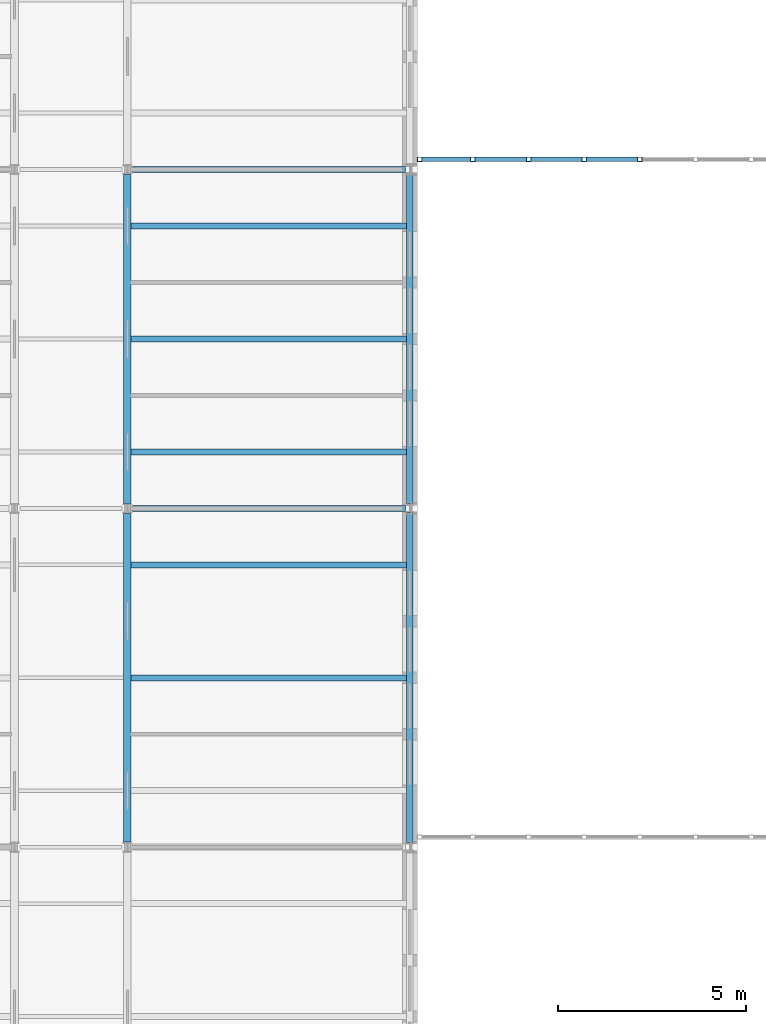
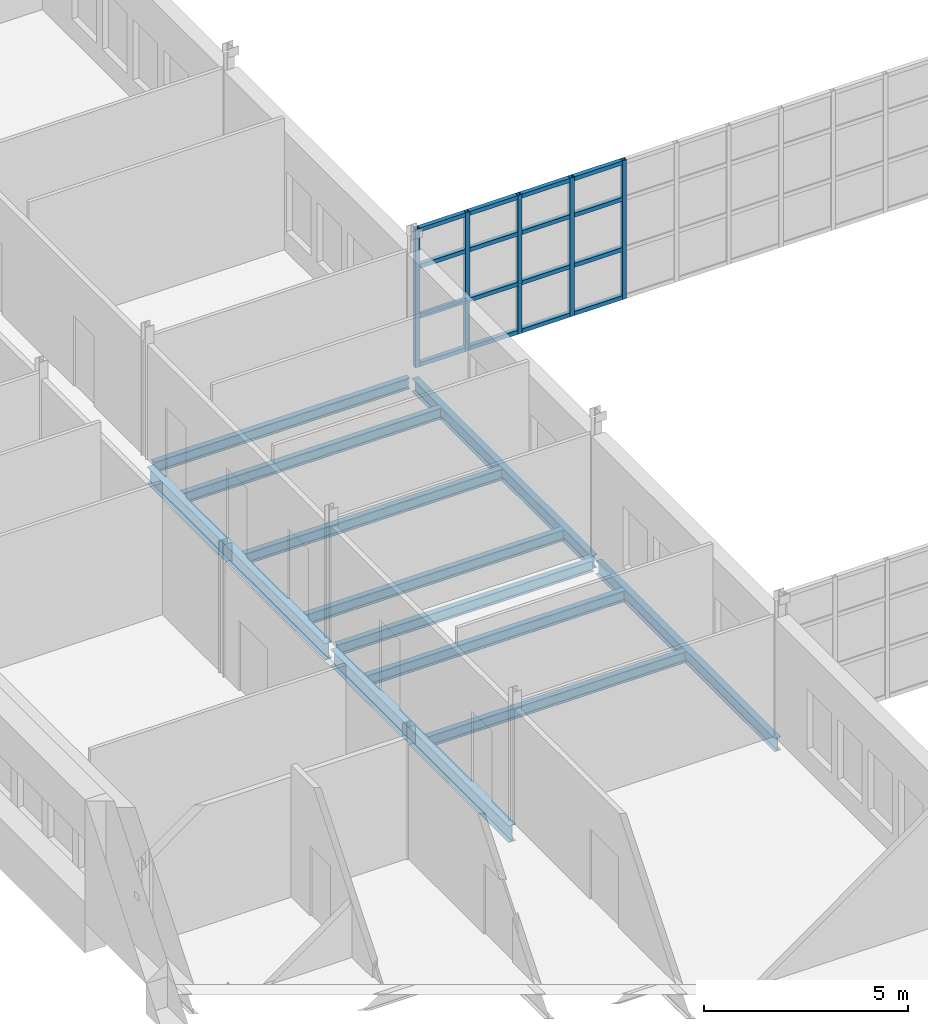
# One storey, part 30 of 154: 21 members, 11 beams, 1 element without a shape of its own.
"""IFC4 building model written with IfcOpenShell, lengths in metres."""

from ifc_helpers import new_model, si_unit, direction, frame, origin, origin_2d, place, context, subcontext, project, spatial, hollow_rectangle, i_section, extrude, material, material_profile, profile_set, type_object, element, aggregate, save


model = new_model("IFC4")

# Units and contexts
model_context = context("Model", 3, precision=1e-05, world=origin(), true_north=direction((0.0, 1.0)))
body_context = subcontext(model_context, "Body", "Model", "MODEL_VIEW")
ifc_project = project(units=[si_unit("LENGTHUNIT", "METRE"), si_unit("AREAUNIT", "SQUARE_METRE"), si_unit("VOLUMEUNIT", "CUBIC_METRE"), si_unit("PLANEANGLEUNIT", "RADIAN"), si_unit("MASSUNIT", "GRAM", prefix="KILO")], contexts=[model_context])

# Site, building, storey
site_placement = place(None, origin())
site = spatial("IfcSite", under=ifc_project, at=site_placement, CompositionType="ELEMENT")
building_placement = place(site_placement, origin())
building = spatial("IfcBuilding", under=site, at=building_placement, Name="Golden Quay Civic Hall", CompositionType="ELEMENT")
storey_placement = place(building_placement, frame((0.0, 0.0, 14.39990234375)))
storey = spatial("IfcBuildingStorey", under=building, at=storey_placement, Name="L03", CompositionType="ELEMENT", Elevation=14.39990234375)

# Curtain wall, members
ifc_material_1 = material(Name="Fire-resisting glass and steel", Category="steel")
curtain_wall_type = type_object("IfcCurtainWallType", Name="Fire-resisting glazed curtain wall EI 120", PredefinedType="NOTDEFINED", material=ifc_material_1)
curtain_wall_placement = place(storey_placement, origin())
curtain_wall = element("IfcCurtainWall", 1, at=curtain_wall_placement, inside=storey, type_object=curtain_wall_type, Name="CW3 curtain wall", PredefinedType="NOTDEFINED")
ifc_material_2 = material(Name="Steel S355", Category="steel")
ifc_material_profile_1 = material_profile(ifc_material_2, hollow_rectangle(XDim=0.1201171875, YDim=0.1201171875, WallThickness=0.008056640625, at=origin_2d()), Name="SHS 120x120x8")
ifc_profile_set_1 = profile_set([ifc_material_profile_1], Name="Steel S355")
member_type_1 = type_object("IfcMemberType", Name="Fire-resisting steel mullion SHS 120x120x8", PredefinedType="MULLION", material=ifc_profile_set_1)
member_1_placement = place(storey_placement, frame((72.260009765625, 36.27001953125, -0.199951171875), z_axis=(0.0, 0.0, 1.0), x_axis=(0.0, 1.0, 0.0)))
member_1 = element("IfcMember", 2, at=member_1_placement, type_object=member_type_1, Name="CW3 mullion 1", PredefinedType="MULLION", context=body_context, shape_type="SweptSolid", body=[
    extrude(hollow_rectangle(XDim=0.1201171875, YDim=0.1201171875, WallThickness=0.008056640625, at=origin_2d()), origin(), (0.0, 0.0, 1.0), 4.150146484375),
])
member_2_placement = place(storey_placement, frame((73.677734375, 36.27001953125, -0.199951171875), z_axis=(0.0, 0.0, 1.0), x_axis=(0.0, 1.0, 0.0)))
member_2 = element("IfcMember", 3, at=member_2_placement, type_object=member_type_1, Name="CW3 mullion 2", PredefinedType="MULLION", context=body_context, shape_type="SweptSolid", body=[
    extrude(hollow_rectangle(XDim=0.1201171875, YDim=0.1201171875, WallThickness=0.008056640625, at=origin_2d()), origin(), (0.0, 0.0, 1.0), 4.150146484375),
])
member_3_placement = place(storey_placement, frame((75.155517578125, 36.27001953125, -0.199951171875), z_axis=(0.0, 0.0, 1.0), x_axis=(0.0, 1.0, 0.0)))
member_3 = element("IfcMember", 4, at=member_3_placement, type_object=member_type_1, Name="CW3 mullion 3", PredefinedType="MULLION", context=body_context, shape_type="SweptSolid", body=[
    extrude(hollow_rectangle(XDim=0.1201171875, YDim=0.1201171875, WallThickness=0.008056640625, at=origin_2d()), origin(), (0.0, 0.0, 1.0), 4.150146484375),
])
member_4_placement = place(storey_placement, frame((76.63330078125, 36.27001953125, -0.199951171875), z_axis=(0.0, 0.0, 1.0), x_axis=(0.0, 1.0, 0.0)))
member_4 = element("IfcMember", 5, at=member_4_placement, type_object=member_type_1, Name="CW3 mullion 4", PredefinedType="MULLION", context=body_context, shape_type="SweptSolid", body=[
    extrude(hollow_rectangle(XDim=0.1201171875, YDim=0.1201171875, WallThickness=0.008056640625, at=origin_2d()), origin(), (0.0, 0.0, 1.0), 4.150146484375),
])
member_5_placement = place(storey_placement, frame((78.111083984375, 36.27001953125, -0.199951171875), z_axis=(0.0, 0.0, 1.0), x_axis=(0.0, 1.0, 0.0)))
member_5 = element("IfcMember", 6, at=member_5_placement, type_object=member_type_1, Name="CW3 mullion 5", PredefinedType="MULLION", context=body_context, shape_type="SweptSolid", body=[
    extrude(hollow_rectangle(XDim=0.1201171875, YDim=0.1201171875, WallThickness=0.008056640625, at=origin_2d()), origin(), (0.0, 0.0, 1.0), 4.150146484375),
])
ifc_material_3 = material(Name="Steel S355", Category="steel")
ifc_material_profile_2 = material_profile(ifc_material_3, hollow_rectangle(XDim=0.1201171875, YDim=0.1201171875, WallThickness=0.008056640625, at=origin_2d()), Name="SHS 120x120x8")
ifc_profile_set_2 = profile_set([ifc_material_profile_2], Name="Steel S355")
member_type_2 = type_object("IfcMemberType", Name="Fire-resisting steel transom SHS 120x120x8", PredefinedType="USERDEFINED", material=ifc_profile_set_2)
member_6_placement = place(storey_placement, frame((72.320068359375, 36.27001953125, -0.139892578125), z_axis=(1.0, 0.0, 0.0), x_axis=(0.0, 1.0, 0.0)))
member_6 = element("IfcMember", 7, at=member_6_placement, type_object=member_type_2, Name="CW3 transom 1.1", ObjectType="TRANSOM", PredefinedType="USERDEFINED", context=body_context, shape_type="SweptSolid", body=[
    extrude(hollow_rectangle(XDim=0.1201171875, YDim=0.1201171875, WallThickness=0.008056640625, at=origin_2d()), origin(), (0.0, 0.0, 1.0), 1.297607421875),
])
member_7_placement = place(storey_placement, frame((72.320068359375, 36.27001953125, 1.300048828125), z_axis=(1.0, 0.0, 0.0), x_axis=(0.0, 1.0, 0.0)))
member_7 = element("IfcMember", 8, at=member_7_placement, type_object=member_type_2, Name="CW3 transom 1.2", ObjectType="TRANSOM", PredefinedType="USERDEFINED", context=body_context, shape_type="SweptSolid", body=[
    extrude(hollow_rectangle(XDim=0.1201171875, YDim=0.1201171875, WallThickness=0.008056640625, at=origin_2d()), origin(), (0.0, 0.0, 1.0), 1.297607421875),
])
member_8_placement = place(storey_placement, frame((72.320068359375, 36.27001953125, 2.800048828125), z_axis=(1.0, 0.0, 0.0), x_axis=(0.0, 1.0, 0.0)))
member_8 = element("IfcMember", 9, at=member_8_placement, type_object=member_type_2, Name="CW3 transom 1.3", ObjectType="TRANSOM", PredefinedType="USERDEFINED", context=body_context, shape_type="SweptSolid", body=[
    extrude(hollow_rectangle(XDim=0.1201171875, YDim=0.1201171875, WallThickness=0.008056640625, at=origin_2d()), origin(), (0.0, 0.0, 1.0), 1.297607421875),
])
member_9_placement = place(storey_placement, frame((72.320068359375, 36.27001953125, 3.89013671875), z_axis=(1.0, 0.0, 0.0), x_axis=(0.0, 1.0, 0.0)))
member_9 = element("IfcMember", 10, at=member_9_placement, type_object=member_type_2, Name="CW3 transom 1.4", ObjectType="TRANSOM", PredefinedType="USERDEFINED", context=body_context, shape_type="SweptSolid", body=[
    extrude(hollow_rectangle(XDim=0.1201171875, YDim=0.1201171875, WallThickness=0.008056640625, at=origin_2d()), origin(), (0.0, 0.0, 1.0), 1.297607421875),
])
member_10_placement = place(storey_placement, frame((73.73779296875, 36.27001953125, -0.139892578125), z_axis=(1.0, 0.0, 0.0), x_axis=(0.0, 1.0, 0.0)))
member_10 = element("IfcMember", 11, at=member_10_placement, type_object=member_type_2, Name="CW3 transom 2.1", ObjectType="TRANSOM", PredefinedType="USERDEFINED", context=body_context, shape_type="SweptSolid", body=[
    extrude(hollow_rectangle(XDim=0.1201171875, YDim=0.1201171875, WallThickness=0.008056640625, at=origin_2d()), origin(), (0.0, 0.0, 1.0), 1.357666015625),
])
member_11_placement = place(storey_placement, frame((73.73779296875, 36.27001953125, 1.300048828125), z_axis=(1.0, 0.0, 0.0), x_axis=(0.0, 1.0, 0.0)))
member_11 = element("IfcMember", 12, at=member_11_placement, type_object=member_type_2, Name="CW3 transom 2.2", ObjectType="TRANSOM", PredefinedType="USERDEFINED", context=body_context, shape_type="SweptSolid", body=[
    extrude(hollow_rectangle(XDim=0.1201171875, YDim=0.1201171875, WallThickness=0.008056640625, at=origin_2d()), origin(), (0.0, 0.0, 1.0), 1.357666015625),
])
member_12_placement = place(storey_placement, frame((73.73779296875, 36.27001953125, 2.800048828125), z_axis=(1.0, 0.0, 0.0), x_axis=(0.0, 1.0, 0.0)))
member_12 = element("IfcMember", 13, at=member_12_placement, type_object=member_type_2, Name="CW3 transom 2.3", ObjectType="TRANSOM", PredefinedType="USERDEFINED", context=body_context, shape_type="SweptSolid", body=[
    extrude(hollow_rectangle(XDim=0.1201171875, YDim=0.1201171875, WallThickness=0.008056640625, at=origin_2d()), origin(), (0.0, 0.0, 1.0), 1.357666015625),
])
member_13_placement = place(storey_placement, frame((73.73779296875, 36.27001953125, 3.89013671875), z_axis=(1.0, 0.0, 0.0), x_axis=(0.0, 1.0, 0.0)))
member_13 = element("IfcMember", 14, at=member_13_placement, type_object=member_type_2, Name="CW3 transom 2.4", ObjectType="TRANSOM", PredefinedType="USERDEFINED", context=body_context, shape_type="SweptSolid", body=[
    extrude(hollow_rectangle(XDim=0.1201171875, YDim=0.1201171875, WallThickness=0.008056640625, at=origin_2d()), origin(), (0.0, 0.0, 1.0), 1.357666015625),
])
member_14_placement = place(storey_placement, frame((75.215576171875, 36.27001953125, -0.139892578125), z_axis=(1.0, 0.0, 0.0), x_axis=(0.0, 1.0, 0.0)))
member_14 = element("IfcMember", 15, at=member_14_placement, type_object=member_type_2, Name="CW3 transom 3.1", ObjectType="TRANSOM", PredefinedType="USERDEFINED", context=body_context, shape_type="SweptSolid", body=[
    extrude(hollow_rectangle(XDim=0.1201171875, YDim=0.1201171875, WallThickness=0.008056640625, at=origin_2d()), origin(), (0.0, 0.0, 1.0), 1.357666015625),
])
member_15_placement = place(storey_placement, frame((75.215576171875, 36.27001953125, 1.300048828125), z_axis=(1.0, 0.0, 0.0), x_axis=(0.0, 1.0, 0.0)))
member_15 = element("IfcMember", 16, at=member_15_placement, type_object=member_type_2, Name="CW3 transom 3.2", ObjectType="TRANSOM", PredefinedType="USERDEFINED", context=body_context, shape_type="SweptSolid", body=[
    extrude(hollow_rectangle(XDim=0.1201171875, YDim=0.1201171875, WallThickness=0.008056640625, at=origin_2d()), origin(), (0.0, 0.0, 1.0), 1.357666015625),
])
member_16_placement = place(storey_placement, frame((75.215576171875, 36.27001953125, 2.800048828125), z_axis=(1.0, 0.0, 0.0), x_axis=(0.0, 1.0, 0.0)))
member_16 = element("IfcMember", 17, at=member_16_placement, type_object=member_type_2, Name="CW3 transom 3.3", ObjectType="TRANSOM", PredefinedType="USERDEFINED", context=body_context, shape_type="SweptSolid", body=[
    extrude(hollow_rectangle(XDim=0.1201171875, YDim=0.1201171875, WallThickness=0.008056640625, at=origin_2d()), origin(), (0.0, 0.0, 1.0), 1.357666015625),
])
member_17_placement = place(storey_placement, frame((75.215576171875, 36.27001953125, 3.89013671875), z_axis=(1.0, 0.0, 0.0), x_axis=(0.0, 1.0, 0.0)))
member_17 = element("IfcMember", 18, at=member_17_placement, type_object=member_type_2, Name="CW3 transom 3.4", ObjectType="TRANSOM", PredefinedType="USERDEFINED", context=body_context, shape_type="SweptSolid", body=[
    extrude(hollow_rectangle(XDim=0.1201171875, YDim=0.1201171875, WallThickness=0.008056640625, at=origin_2d()), origin(), (0.0, 0.0, 1.0), 1.357666015625),
])
member_18_placement = place(storey_placement, frame((76.693359375, 36.27001953125, -0.139892578125), z_axis=(1.0, 0.0, 0.0), x_axis=(0.0, 1.0, 0.0)))
member_18 = element("IfcMember", 19, at=member_18_placement, type_object=member_type_2, Name="CW3 transom 4.1", ObjectType="TRANSOM", PredefinedType="USERDEFINED", context=body_context, shape_type="SweptSolid", body=[
    extrude(hollow_rectangle(XDim=0.1201171875, YDim=0.1201171875, WallThickness=0.008056640625, at=origin_2d()), origin(), (0.0, 0.0, 1.0), 1.357666015625),
])
member_19_placement = place(storey_placement, frame((76.693359375, 36.27001953125, 1.300048828125), z_axis=(1.0, 0.0, 0.0), x_axis=(0.0, 1.0, 0.0)))
member_19 = element("IfcMember", 20, at=member_19_placement, type_object=member_type_2, Name="CW3 transom 4.2", ObjectType="TRANSOM", PredefinedType="USERDEFINED", context=body_context, shape_type="SweptSolid", body=[
    extrude(hollow_rectangle(XDim=0.1201171875, YDim=0.1201171875, WallThickness=0.008056640625, at=origin_2d()), origin(), (0.0, 0.0, 1.0), 1.357666015625),
])
member_20_placement = place(storey_placement, frame((76.693359375, 36.27001953125, 2.800048828125), z_axis=(1.0, 0.0, 0.0), x_axis=(0.0, 1.0, 0.0)))
member_20 = element("IfcMember", 21, at=member_20_placement, type_object=member_type_2, Name="CW3 transom 4.3", ObjectType="TRANSOM", PredefinedType="USERDEFINED", context=body_context, shape_type="SweptSolid", body=[
    extrude(hollow_rectangle(XDim=0.1201171875, YDim=0.1201171875, WallThickness=0.008056640625, at=origin_2d()), origin(), (0.0, 0.0, 1.0), 1.357666015625),
])
member_21_placement = place(storey_placement, frame((76.693359375, 36.27001953125, 3.89013671875), z_axis=(1.0, 0.0, 0.0), x_axis=(0.0, 1.0, 0.0)))
member_21 = element("IfcMember", 22, at=member_21_placement, type_object=member_type_2, Name="CW3 transom 4.4", ObjectType="TRANSOM", PredefinedType="USERDEFINED", context=body_context, shape_type="SweptSolid", body=[
    extrude(hollow_rectangle(XDim=0.1201171875, YDim=0.1201171875, WallThickness=0.008056640625, at=origin_2d()), origin(), (0.0, 0.0, 1.0), 1.357666015625),
])
aggregate(curtain_wall, [member_1, member_2, member_3, member_4, member_5, member_6, member_7, member_8, member_9, member_10, member_11, member_12, member_13, member_14, member_15, member_16, member_17, member_18, member_19, member_20, member_21])

# Beams
ifc_material_4 = material(Name="Steel S355", Category="steel")
ifc_material_profile_3 = material_profile(ifc_material_4, i_section(OverallWidth=0.159912109375, OverallDepth=0.330078125, WebThickness=0.007568359375, FlangeThickness=0.011474609375, FilletRadius=0.01806640625, at=origin_2d()), Name="IPE 330")
ifc_profile_set_3 = profile_set([ifc_material_profile_3], Name="Steel S355")
beam_type_1 = type_object("IfcBeamType", Name="Steel beam IPE 330", PredefinedType="BEAM", material=ifc_profile_set_3)
for number, where, z_axis, x_axis, name in (
    (23, (64.639892578125, 27.0, -0.364990234375), (1.0, 0.0, 0.0), (0.0, 1.0, 0.0), "Beam S27-64.5"),
    (24, (64.639892578125, 36.0, -0.364990234375), (1.0, 0.0, 0.0), (0.0, 1.0, 0.0), "Beam S36-64.5"),
):
    element("IfcBeam", number, at=place(storey_placement, frame(where, z_axis=z_axis, x_axis=x_axis)), inside=storey, type_object=beam_type_1, Name=name, PredefinedType="BEAM", context=body_context, shape_type="SweptSolid", body=[
        extrude(i_section(OverallWidth=0.159912109375, OverallDepth=0.330078125, WebThickness=0.007568359375, FlangeThickness=0.011474609375, FilletRadius=0.01806640625, at=origin_2d()), origin(), (0.0, 0.0, 1.0), 7.239990234375),
    ])
ifc_material_5 = material(Name="Steel S355", Category="steel")
ifc_material_profile_4 = material_profile(ifc_material_5, i_section(OverallWidth=0.179931640625, OverallDepth=0.39990234375, WebThickness=0.008544921875, FlangeThickness=0.013427734375, FilletRadius=0.02099609375, at=origin_2d()), Name="IPE 400")
ifc_profile_set_4 = profile_set([ifc_material_profile_4], Name="Steel S355")
beam_type_2 = type_object("IfcBeamType", Name="Steel beam IPE 400", PredefinedType="BEAM", material=ifc_profile_set_4)
for number, where, z_axis, x_axis, name in (
    (25, (72.0, 18.114990234375, -0.39990234375), (0.0, 1.0, 0.0), (-1.0, 0.0, 0.0), "Beam L72-18"),
    (26, (72.0, 27.114990234375, -0.39990234375), (0.0, 1.0, 0.0), (-1.0, 0.0, 0.0), "Beam L72-27"),
):
    element("IfcBeam", number, at=place(storey_placement, frame(where, z_axis=z_axis, x_axis=x_axis)), inside=storey, type_object=beam_type_2, Name=name, PredefinedType="BEAM", context=body_context, shape_type="SweptSolid", body=[
        extrude(i_section(OverallWidth=0.179931640625, OverallDepth=0.39990234375, WebThickness=0.008544921875, FlangeThickness=0.013427734375, FilletRadius=0.02099609375, at=origin_2d()), origin(), (0.0, 0.0, 1.0), 8.77001953125),
    ])
ifc_material_6 = material(Name="Steel S355", Category="steel")
ifc_material_profile_5 = material_profile(ifc_material_6, i_section(OverallWidth=0.199951171875, OverallDepth=0.5, WebThickness=0.01025390625, FlangeThickness=0.01611328125, FilletRadius=0.02099609375, at=origin_2d()), Name="IPE 500")
ifc_profile_set_5 = profile_set([ifc_material_profile_5], Name="Steel S355")
beam_type_3 = type_object("IfcBeamType", Name="Steel beam IPE 500", PredefinedType="BEAM", material=ifc_profile_set_5)
for number, where, z_axis, x_axis, name in (
    (27, (64.5, 18.135009765625, -0.449951171875), (0.0, 1.0, 0.0), (-1.0, 0.0, 0.0), "Beam L64.5-18"),
    (28, (64.5, 27.135009765625, -0.449951171875), (0.0, 1.0, 0.0), (-1.0, 0.0, 0.0), "Beam L64.5-27"),
):
    element("IfcBeam", number, at=place(storey_placement, frame(where, z_axis=z_axis, x_axis=x_axis)), inside=storey, type_object=beam_type_3, Name=name, PredefinedType="BEAM", context=body_context, shape_type="SweptSolid", body=[
        extrude(i_section(OverallWidth=0.199951171875, OverallDepth=0.5, WebThickness=0.01025390625, FlangeThickness=0.01611328125, FilletRadius=0.02099609375, at=origin_2d()), origin(), (0.0, 0.0, 1.0), 8.72998046875),
    ])
ifc_material_7 = material(Name="Steel S355", Category="steel")
ifc_material_profile_6 = material_profile(ifc_material_7, i_section(OverallWidth=0.159912109375, OverallDepth=0.330078125, WebThickness=0.007568359375, FlangeThickness=0.011474609375, FilletRadius=0.01806640625, at=origin_2d()), Name="IPE 330")
ifc_profile_set_6 = profile_set([ifc_material_profile_6], Name="Steel S355")
beam_type_4 = type_object("IfcBeamType", Name="Steel joist IPE 330", PredefinedType="JOIST", material=ifc_profile_set_6)
for number, where, z_axis, x_axis, name in (
    (29, (64.60009765625, 22.5, -0.364990234375), (1.0, 0.0, 0.0), (0.0, 1.0, 0.0), "Joist J22.5-64.5"),
    (30, (64.60009765625, 25.5, -0.364990234375), (1.0, 0.0, 0.0), (0.0, 1.0, 0.0), "Joist J25.5-64.5"),
    (31, (64.60009765625, 28.5, -0.364990234375), (1.0, 0.0, 0.0), (0.0, 1.0, 0.0), "Joist J28.5-64.5"),
    (32, (64.60009765625, 31.5, -0.364990234375), (1.0, 0.0, 0.0), (0.0, 1.0, 0.0), "Joist J31.5-64.5"),
    (33, (64.60009765625, 34.5, -0.364990234375), (1.0, 0.0, 0.0), (0.0, 1.0, 0.0), "Joist J34.5-64.5"),
):
    element("IfcBeam", number, at=place(storey_placement, frame(where, z_axis=z_axis, x_axis=x_axis)), inside=storey, type_object=beam_type_4, Name=name, PredefinedType="JOIST", context=body_context, shape_type="SweptSolid", body=[
        extrude(i_section(OverallWidth=0.159912109375, OverallDepth=0.330078125, WebThickness=0.007568359375, FlangeThickness=0.011474609375, FilletRadius=0.01806640625, at=origin_2d()), origin(), (0.0, 0.0, 1.0), 7.309814453125),
    ])

save(model, "model.ifc")
